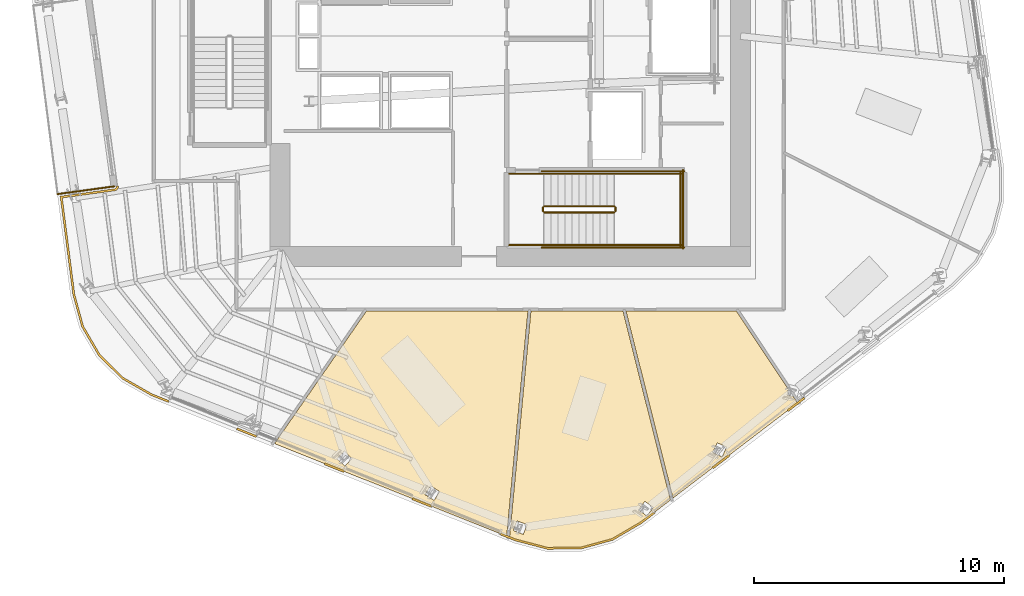
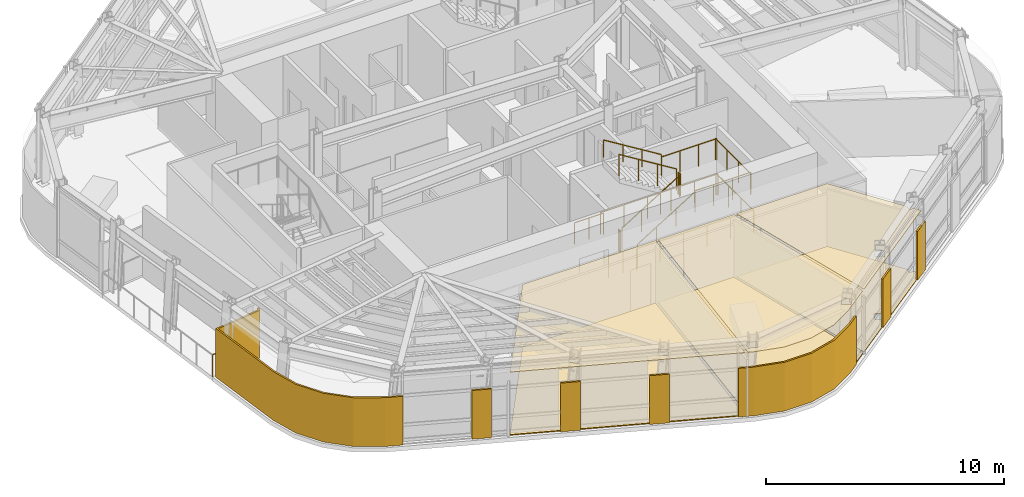
# One storey, part 11 of 15: 15 railings, 13 coverings.
"""IFC4 building model written with IfcOpenShell, lengths in metres."""

from ifc_helpers import new_model, si_unit, direction, frame, origin, origin_2d, place, context, subcontext, project, spatial, polyline, circle, outline, extrude, material, layer, layer_set, type_object, element, save


model = new_model("IFC4")

# Units and contexts
model_context = context("Model", 3, precision=1e-05, world=origin(), true_north=direction((0.0, 1.0)))
body_context = subcontext(model_context, "Body", "Model", "MODEL_VIEW")
ifc_project = project(units=[si_unit("LENGTHUNIT", "METRE"), si_unit("AREAUNIT", "SQUARE_METRE"), si_unit("VOLUMEUNIT", "CUBIC_METRE"), si_unit("PLANEANGLEUNIT", "RADIAN"), si_unit("MASSUNIT", "GRAM", prefix="KILO")], contexts=[model_context])

# Site, building, storey
site_placement = place(None, origin())
site = spatial("IfcSite", under=ifc_project, at=site_placement, CompositionType="ELEMENT")
building_placement = place(site_placement, origin())
building = spatial("IfcBuilding", under=site, at=building_placement, Name="Valkerne Bourse Tower", CompositionType="ELEMENT")
storey_placement = place(building_placement, frame((0.0, 0.0, 185.60009765625)))
storey = spatial("IfcBuildingStorey", under=building, at=storey_placement, Name="L47", CompositionType="ELEMENT", Elevation=185.60009765625)

# Coverings
ifc_material_1 = material(Name="Mineral Fiber Acoustic Ceiling Tile", Category="acoustic")
ifc_layer_1 = layer(ifc_material_1, 0.02490234375)
ifc_layer_set_1 = layer_set([ifc_layer_1], Name="Mineral Fiber Acoustic Ceiling Tile")
covering_type_1 = type_object("IfcCoveringType", Name="COV-CEIL-ACT", PredefinedType="CEILING", material=ifc_layer_set_1)
covering_1_placement = place(storey_placement, frame((0.0, 0.0, 3.22998046875)))
element("IfcCovering", 1, at=covering_1_placement, inside=storey, type_object=covering_type_1, Name="L47 Suspended Ceiling 04", PredefinedType="CEILING", context=body_context, shape_type="SweptSolid", body=[
    extrude(outline(polyline([(55.830078125, 16.010986328125), (57.91259765625, 12.876708984375), (57.85888671875, 12.658447265625), (58.09716796875, 12.598876953125), (58.274658203125, 12.331787109375), (53.29931640625, 8.53369140625), (51.421142578125, 16.010986328125), (55.830078125, 16.010986328125)]), holes=[polyline([(55.259033203125, 10.183349609375), (55.4423828125, 10.5654296875), (55.069580078125, 10.74560546875), (55.067138671875, 10.744384765625), (54.8837890625, 10.3623046875), (55.256591796875, 10.18212890625), (55.259033203125, 10.183349609375)])]), origin(), (0.0, 0.0, 1.0), 0.02490234375),
])
covering_2_placement = place(storey_placement, frame((0.0, 0.0, 3.22998046875)))
element("IfcCovering", 2, at=covering_2_placement, inside=storey, type_object=covering_type_1, Name="L47 Suspended Ceiling 07", PredefinedType="CEILING", context=body_context, shape_type="SweptSolid", body=[
    extrude(outline(polyline([(49.6025390625, 6.540771484375), (48.282958984375, 6.53369140625), (46.996826171875, 6.87109375), (46.765380859375, 6.963623046875), (47.62060546875, 16.010986328125), (51.29931640625, 16.010986328125), (53.197265625, 8.455810546875), (52.0234375, 7.559814453125), (50.875244140625, 6.888916015625), (49.6025390625, 6.540771484375)]), holes=[polyline([(47.314697265625, 7.085693359375), (47.465087890625, 7.471435546875), (47.071044921875, 7.626220703125), (47.068359375, 7.626220703125), (46.917724609375, 7.240234375), (47.31201171875, 7.08544921875), (47.314697265625, 7.085693359375)]), polyline([(52.508056640625, 8.16015625), (52.17578125, 8.406982421875), (52.173095703125, 8.40625), (51.92138671875, 8.0654296875), (52.253662109375, 7.818603515625), (52.256591796875, 7.8193359375), (52.508056640625, 8.16015625)])]), origin(), (0.0, 0.0, 1.0), 0.02490234375),
])
covering_3_placement = place(storey_placement, frame((0.0, 0.0, 3.22998046875)))
element("IfcCovering", 3, at=covering_3_placement, inside=storey, type_object=covering_type_1, Name="L47 Suspended Ceiling 09", PredefinedType="CEILING", context=body_context, shape_type="SweptSolid", body=[
    extrude(outline(polyline([(47.501953125, 16.010986328125), (46.651123046875, 7.00927734375), (37.373046875, 10.7119140625), (41.048828125, 16.010986328125), (47.501953125, 16.010986328125)]), holes=[polyline([(43.61376953125, 9.021728515625), (43.611083984375, 9.022216796875), (43.390625, 8.671630859375), (43.748779296875, 8.445556640625), (43.75146484375, 8.445068359375), (43.971923828125, 8.795654296875), (43.61376953125, 9.021728515625)]), polyline([(40.16357421875, 10.4072265625), (40.160888671875, 10.408203125), (39.873779296875, 10.10986328125), (40.178466796875, 9.8154296875), (40.180908203125, 9.814453125), (40.46826171875, 10.113037109375), (40.16357421875, 10.4072265625)])]), origin(), (0.0, 0.0, 1.0), 0.02490234375),
])
ifc_material_2 = material(Name="Bronze Anodised Aluminium AA 6063-T6", Category="aluminium")
ifc_layer_2 = layer(ifc_material_2, 0.06005859375)
ifc_layer_set_2 = layer_set([ifc_layer_2], Name="Bronze Anodised Aluminium AA 6063-T6")
covering_type_2 = type_object("IfcCoveringType", Name="COV-CRN-ALUM", PredefinedType="CLADDING", material=ifc_layer_set_2)
covering_4_placement = place(storey_placement, origin())
element("IfcCovering", 4, at=covering_4_placement, inside=storey, type_object=covering_type_2, Name="L47 Wind-Shaped Corner Aluminium Cladding 15", PredefinedType="CLADDING", context=body_context, shape_type="SweptSolid", body=[
    extrude(outline(polyline([(57.906982421875, 11.99560546875), (57.85791015625, 12.058837890625), (58.525634765625, 12.568603515625), (58.57470703125, 12.50537109375), (57.906982421875, 11.99560546875)])), origin(), (0.0, 0.0, 1.0), 2.5),
])
covering_5_placement = place(storey_placement, origin())
element("IfcCovering", 5, at=covering_5_placement, inside=storey, type_object=covering_type_2, Name="L47 Wind-Shaped Corner Aluminium Cladding 16", PredefinedType="CLADDING", context=body_context, shape_type="SweptSolid", body=[
    extrude(outline(polyline([(54.909423828125, 9.70751953125), (54.8603515625, 9.770751953125), (55.528076171875, 10.280517578125), (55.5771484375, 10.21728515625), (54.909423828125, 9.70751953125)])), origin(), (0.0, 0.0, 1.0), 2.5),
])
covering_6_placement = place(storey_placement, origin())
element("IfcCovering", 6, at=covering_6_placement, inside=storey, type_object=covering_type_2, Name="L47 Wind-Shaped Corner Aluminium Cladding 17", PredefinedType="CLADDING", context=body_context, shape_type="SweptSolid", body=[
    extrude(outline(polyline([(52.0478515625, 7.523193359375), (50.892578125, 6.847900390625), (49.608642578125, 6.49658203125), (48.27734375, 6.48974609375), (46.983154296875, 6.829345703125), (46.362060546875, 7.077392578125), (46.39208984375, 7.1513671875), (47.00830078125, 6.905517578125), (48.28759765625, 6.56982421875), (49.59765625, 6.57666015625), (50.861083984375, 6.92236328125), (52.00341796875, 7.589599609375), (52.530517578125, 7.9921875), (52.57958984375, 7.928955078125), (52.0478515625, 7.523193359375)])), origin(), (0.0, 0.0, 1.0), 2.5),
])
covering_7_placement = place(storey_placement, origin())
element("IfcCovering", 7, at=covering_7_placement, inside=storey, type_object=covering_type_2, Name="L47 Wind-Shaped Corner Aluminium Cladding 18", PredefinedType="CLADDING", context=body_context, shape_type="SweptSolid", body=[
    extrude(outline(polyline([(42.859375, 8.47509765625), (42.8896484375, 8.54931640625), (43.669921875, 8.23779296875), (43.6396484375, 8.163818359375), (42.859375, 8.47509765625)])), origin(), (0.0, 0.0, 1.0), 2.5),
])
covering_8_placement = place(storey_placement, origin())
element("IfcCovering", 8, at=covering_8_placement, inside=storey, type_object=covering_type_2, Name="L47 Wind-Shaped Corner Aluminium Cladding 19", PredefinedType="CLADDING", context=body_context, shape_type="SweptSolid", body=[
    extrude(outline(polyline([(39.35693359375, 9.872802734375), (39.38720703125, 9.947021484375), (40.167236328125, 9.635498046875), (40.13720703125, 9.5615234375), (39.35693359375, 9.872802734375)])), origin(), (0.0, 0.0, 1.0), 2.5),
])
covering_9_placement = place(storey_placement, origin())
element("IfcCovering", 9, at=covering_9_placement, inside=storey, type_object=covering_type_2, Name="L47 Wind-Shaped Corner Aluminium Cladding 20", PredefinedType="CLADDING", context=body_context, shape_type="SweptSolid", body=[
    extrude(outline(polyline([(35.8544921875, 11.270751953125), (35.884765625, 11.3447265625), (36.664794921875, 11.033447265625), (36.634521484375, 10.95947265625), (35.8544921875, 11.270751953125)])), origin(), (0.0, 0.0, 1.0), 2.5),
])
covering_10_placement = place(storey_placement, origin())
element("IfcCovering", 10, at=covering_10_placement, inside=storey, type_object=covering_type_2, Name="L47 Wind-Shaped Corner Aluminium Cladding 21", PredefinedType="CLADDING", context=body_context, shape_type="SweptSolid", body=[
    extrude(outline(polyline([(32.4453125, 12.63134765625), (31.28369140625, 13.2939453125), (30.33740234375, 14.230224609375), (29.665771484375, 15.379638671875), (29.31298828125, 16.66943359375), (28.8056640625, 20.5986328125), (30.975830078125, 20.89599609375), (30.985595703125, 20.897705078125), (30.994873046875, 20.900390625), (31.00390625, 20.904052734375), (31.0126953125, 20.90869140625), (31.02099609375, 20.9140625), (31.028564453125, 20.920166015625), (31.03564453125, 20.927001953125), (31.0419921875, 20.9345703125), (31.047607421875, 20.942626953125), (31.05224609375, 20.951171875), (31.05615234375, 20.960205078125), (31.05908203125, 20.969482421875), (31.06103515625, 20.979248046875), (31.06201171875, 20.989013671875), (31.062255859375, 20.998779296875), (31.061279296875, 21.008544921875), (31.140625, 21.019287109375), (31.14208984375, 21.001708984375), (31.14208984375, 20.984130859375), (31.139892578125, 20.966552734375), (31.136474609375, 20.94921875), (31.131103515625, 20.9326171875), (31.124267578125, 20.916259765625), (31.11572265625, 20.900634765625), (31.105712890625, 20.88623046875), (31.09423828125, 20.87255859375), (31.081787109375, 20.8603515625), (31.06787109375, 20.84912109375), (31.052978515625, 20.839599609375), (31.037353515625, 20.831298828125), (31.02099609375, 20.824951171875), (31.004150390625, 20.81982421875), (30.98681640625, 20.816650390625), (28.89501953125, 20.5302734375), (29.3916015625, 16.685302734375), (29.740234375, 15.410888671875), (30.401123046875, 14.27978515625), (31.33251953125, 13.358154296875), (32.47998046875, 12.70361328125), (33.162353515625, 12.43115234375), (33.132080078125, 12.357177734375), (32.4453125, 12.63134765625)])), origin(), (0.0, 0.0, 1.0), 2.5),
])
ifc_material_3 = material(Name="Galvanised Painted Steel", Category="steel")
ifc_layer_3 = layer(ifc_material_3, 0.044921875)
ifc_layer_set_3 = layer_set([ifc_layer_3], Name="Galvanised Painted Steel")
covering_type_3 = type_object("IfcCoveringType", Name="COV-FLR-RAF", PredefinedType="FLOORING", material=ifc_layer_set_3)
covering_11_placement = place(storey_placement, origin())
element("IfcCovering", 11, at=covering_11_placement, inside=storey, type_object=covering_type_3, Name="L47 Floor Finish 07", PredefinedType="FLOORING", context=body_context, shape_type="SweptSolid", body=[
    extrude(outline(polyline([(49.6025390625, 6.540771484375), (48.282958984375, 6.53369140625), (46.996826171875, 6.87109375), (46.765380859375, 6.963623046875), (47.62060546875, 16.010986328125), (51.29931640625, 16.010986328125), (53.197265625, 8.455810546875), (52.0234375, 7.559814453125), (50.875244140625, 6.888916015625), (49.6025390625, 6.540771484375)]), holes=[polyline([(47.314697265625, 7.085693359375), (47.465087890625, 7.471435546875), (47.071044921875, 7.626220703125), (47.068359375, 7.626220703125), (46.917724609375, 7.240234375), (47.31201171875, 7.08544921875), (47.314697265625, 7.085693359375)]), polyline([(52.508056640625, 8.16015625), (52.17578125, 8.406982421875), (52.173095703125, 8.40625), (51.92138671875, 8.0654296875), (52.253662109375, 7.818603515625), (52.256591796875, 7.8193359375), (52.508056640625, 8.16015625)])]), origin(), (0.0, 0.0, 1.0), 0.044921875),
])
covering_12_placement = place(storey_placement, origin())
element("IfcCovering", 12, at=covering_12_placement, inside=storey, type_object=covering_type_3, Name="L47 Floor Finish 09", PredefinedType="FLOORING", context=body_context, shape_type="SweptSolid", body=[
    extrude(outline(polyline([(47.501953125, 16.010986328125), (46.651123046875, 7.00927734375), (37.373046875, 10.7119140625), (41.048828125, 16.010986328125), (47.501953125, 16.010986328125)]), holes=[polyline([(43.61376953125, 9.021728515625), (43.611083984375, 9.022216796875), (43.390625, 8.671630859375), (43.748779296875, 8.445556640625), (43.75146484375, 8.445068359375), (43.971923828125, 8.795654296875), (43.61376953125, 9.021728515625)]), polyline([(40.16357421875, 10.4072265625), (40.160888671875, 10.408203125), (39.873779296875, 10.10986328125), (40.178466796875, 9.8154296875), (40.180908203125, 9.814453125), (40.46826171875, 10.113037109375), (40.16357421875, 10.4072265625)])]), origin(), (0.0, 0.0, 1.0), 0.044921875),
])
ifc_material_4 = material(Name="Polished Granite Stone", Category="masonry")
ifc_layer_4 = layer(ifc_material_4, 0.030029296875)
ifc_layer_set_4 = layer_set([ifc_layer_4], Name="Polished Granite Stone")
covering_type_4 = type_object("IfcCoveringType", Name="COV-FLR-TERRAZZO", PredefinedType="FLOORING", material=ifc_layer_set_4)
covering_13_placement = place(storey_placement, origin())
element("IfcCovering", 13, at=covering_13_placement, inside=storey, type_object=covering_type_4, Name="L47 Floor Finish 04", PredefinedType="FLOORING", context=body_context, shape_type="SweptSolid", body=[
    extrude(outline(polyline([(55.830078125, 16.010986328125), (57.91259765625, 12.876708984375), (57.85888671875, 12.658447265625), (58.09716796875, 12.598876953125), (58.274658203125, 12.331787109375), (53.29931640625, 8.53369140625), (51.421142578125, 16.010986328125), (55.830078125, 16.010986328125)]), holes=[polyline([(55.259033203125, 10.183349609375), (55.4423828125, 10.5654296875), (55.069580078125, 10.74560546875), (55.067138671875, 10.744384765625), (54.8837890625, 10.3623046875), (55.256591796875, 10.18212890625), (55.259033203125, 10.183349609375)])]), origin(), (0.0, 0.0, 1.0), 0.02978515625),
])

# Railings
ifc_material_5 = material(Name="Laminated Tempered Safety Glass", Category="glass")
railing_type_1 = type_object("IfcRailingType", Name="RLG-GUARD-1150", PredefinedType="BALUSTRADE", material=ifc_material_5)
railing_1_placement = place(storey_placement, frame((30.96240234375, 20.9951171875, 0.0)))
element("IfcRailing", 14, at=railing_1_placement, inside=storey, type_object=railing_type_1, Name="L47 V-Notch Terrace Glass Balustrade 2", PredefinedType="BALUSTRADE", context=body_context, shape_type="SweptSolid", body=[
    extrude(circle(Radius=0.02392578125, at=origin_2d()), frame((0.0, 0.0, 1.1259765625), z_axis=(-0.990747591802, -0.13571738775, 0.0), x_axis=(0.13571738775, -0.990747591802, 0.0)), (0.0, 0.0, 1.0), 2.2900390625),
    extrude(circle(Radius=0.02099609375, at=origin_2d()), origin(), (0.0, 0.0, 1.0), 1.101806640625),
    extrude(circle(Radius=0.02099609375, at=origin_2d()), frame((-1.13427734375, -0.1552734375, 0.0)), (0.0, 0.0, 1.0), 1.101806640625),
    extrude(circle(Radius=0.02099609375, at=origin_2d()), frame((-2.268798828125, -0.310791015625, 0.0)), (0.0, 0.0, 1.0), 1.101806640625),
])
railing_type_2 = type_object("IfcRailingType", Name="RLG-ST-GUARD-1120", PredefinedType="GUARDRAIL", material=ifc_material_3)
railing_2_placement = place(storey_placement, frame((48.14990234375, 19.949951171875, 0.172607421875)))
element("IfcRailing", 15, at=railing_2_placement, inside=storey, type_object=railing_type_2, Name="L47 ST-1 stair guard 1", PredefinedType="GUARDRAIL", context=body_context, shape_type="SweptSolid", body=[
    extrude(circle(Radius=0.02392578125, at=origin_2d()), frame((0.0, 0.0, 1.09619140625), z_axis=(0.851089632645, 0.0, 0.525020415988), x_axis=(0.0, 1.0, 0.0)), (0.0, 0.0, 1.0), 3.2900390625),
    extrude(circle(Radius=0.02099609375, at=origin_2d()), origin(), (0.0, 0.0, 1.0), 1.072021484375),
    extrude(circle(Radius=0.02099609375, at=origin_2d()), frame((0.933349609375, 0.0, 0.57568359375)), (0.0, 0.0, 1.0), 1.072021484375),
    extrude(circle(Radius=0.02099609375, at=origin_2d()), frame((1.86669921875, 0.0, 1.151611328125)), (0.0, 0.0, 1.0), 1.072021484375),
    extrude(circle(Radius=0.02099609375, at=origin_2d()), frame((2.800048828125, 0.0, 1.727294921875)), (0.0, 0.0, 1.0), 1.072021484375),
])
railing_3_placement = place(storey_placement, frame((51.0, 20.0, 1.89990234375)))
element("IfcRailing", 16, at=railing_3_placement, inside=storey, type_object=railing_type_2, Name="L47 ST-1 stair guard 2", PredefinedType="GUARDRAIL", context=body_context, shape_type="SweptSolid", body=[
    extrude(circle(Radius=0.02392578125, at=origin_2d()), frame((0.0, 0.0, 1.09619140625), z_axis=(0.0, 1.0, 0.0), x_axis=(-1.0, 0.0, 0.0)), (0.0, 0.0, 1.0), 0.14990234375),
    extrude(circle(Radius=0.02099609375, at=origin_2d()), origin(), (0.0, 0.0, 1.0), 1.072021484375),
    extrude(circle(Radius=0.02099609375, at=origin_2d()), frame((0.0, 0.14990234375, 0.0)), (0.0, 0.0, 1.0), 1.072021484375),
])
for number, where, name in (
    (17, (50.949951171875, 18.64990234375, 1.89990234375), "L47 ST-1 stair guard 3"),
    (18, (50.949951171875, 21.5, 1.89990234375), "L47 ST-1 stair guard 4"),
):
    element("IfcRailing", number, at=place(storey_placement, frame(where)), inside=storey, type_object=railing_type_2, Name=name, PredefinedType="GUARDRAIL", context=body_context, shape_type="SweptSolid", body=[
        extrude(circle(Radius=0.02392578125, at=origin_2d()), frame((0.0, 0.0, 1.09619140625), z_axis=(1.0, 0.0, 0.0), x_axis=(0.0, 1.0, 0.0)), (0.0, 0.0, 1.0), 2.699951171875),
        extrude(circle(Radius=0.02099609375, at=origin_2d()), origin(), (0.0, 0.0, 1.0), 1.072021484375),
        extrude(circle(Radius=0.02099609375, at=origin_2d()), frame((0.89990234375, 0.0, 0.0)), (0.0, 0.0, 1.0), 1.072021484375),
        extrude(circle(Radius=0.02099609375, at=origin_2d()), frame((1.800048828125, 0.0, 0.0)), (0.0, 0.0, 1.0), 1.072021484375),
        extrude(circle(Radius=0.02099609375, at=origin_2d()), frame((2.699951171875, 0.0, 0.0)), (0.0, 0.0, 1.0), 1.072021484375),
    ])
railing_4_placement = place(storey_placement, frame((53.60009765625, 18.60009765625, 1.89990234375)))
element("IfcRailing", 19, at=railing_4_placement, inside=storey, type_object=railing_type_2, Name="L47 ST-1 stair guard 5", PredefinedType="GUARDRAIL", context=body_context, shape_type="SweptSolid", body=[
    extrude(circle(Radius=0.02392578125, at=origin_2d()), frame((0.0, 0.0, 1.09619140625), z_axis=(0.0, 1.0, 0.0), x_axis=(-1.0, 0.0, 0.0)), (0.0, 0.0, 1.0), 2.949951171875),
    extrude(circle(Radius=0.02099609375, at=origin_2d()), origin(), (0.0, 0.0, 1.0), 1.072021484375),
    extrude(circle(Radius=0.02099609375, at=origin_2d()), frame((0.0, 0.9833984375, 0.0)), (0.0, 0.0, 1.0), 1.072021484375),
    extrude(circle(Radius=0.02099609375, at=origin_2d()), frame((0.0, 1.966552734375, 0.0)), (0.0, 0.0, 1.0), 1.072021484375),
    extrude(circle(Radius=0.02099609375, at=origin_2d()), frame((0.0, 2.949951171875, 0.0)), (0.0, 0.0, 1.0), 1.072021484375),
])
railing_5_placement = place(storey_placement, frame((50.949951171875, 20.199951171875, 2.072509765625)))
element("IfcRailing", 20, at=railing_5_placement, inside=storey, type_object=railing_type_2, Name="L47 ST-1 stair guard 6", PredefinedType="GUARDRAIL", context=body_context, shape_type="SweptSolid", body=[
    extrude(circle(Radius=0.02392578125, at=origin_2d()), frame((0.0, 0.0, 1.09619140625), z_axis=(-0.851089632645, 0.0, 0.525020415988), x_axis=(0.0, -1.0, 0.0)), (0.0, 0.0, 1.0), 3.2900390625),
    extrude(circle(Radius=0.02099609375, at=origin_2d()), origin(), (0.0, 0.0, 1.0), 1.072021484375),
    extrude(circle(Radius=0.02099609375, at=origin_2d()), frame((-0.933349609375, 0.0, 0.57568359375)), (0.0, 0.0, 1.0), 1.072021484375),
    extrude(circle(Radius=0.02099609375, at=origin_2d()), frame((-1.86669921875, 0.0, 1.151611328125)), (0.0, 0.0, 1.0), 1.072021484375),
    extrude(circle(Radius=0.02099609375, at=origin_2d()), frame((-2.800048828125, 0.0, 1.727294921875)), (0.0, 0.0, 1.0), 1.072021484375),
])
railing_6_placement = place(storey_placement, frame((48.10009765625, 20.0, 0.0)))
element("IfcRailing", 21, at=railing_6_placement, inside=storey, type_object=railing_type_2, Name="L47 ST-1 stair guard 7", PredefinedType="GUARDRAIL", context=body_context, shape_type="SweptSolid", body=[
    extrude(circle(Radius=0.02392578125, at=origin_2d()), frame((0.0, 0.0, 1.09619140625), z_axis=(0.0, 1.0, 0.0), x_axis=(-1.0, 0.0, 0.0)), (0.0, 0.0, 1.0), 0.14990234375),
    extrude(circle(Radius=0.02099609375, at=origin_2d()), origin(), (0.0, 0.0, 1.0), 1.072021484375),
    extrude(circle(Radius=0.02099609375, at=origin_2d()), frame((0.0, 0.14990234375, 0.0)), (0.0, 0.0, 1.0), 1.072021484375),
])
for number, where, name in (
    (22, (46.75, 18.64990234375, 0.0), "L47 ST-1 stair guard 8"),
    (23, (46.75, 21.5, 0.0), "L47 ST-1 stair guard 9"),
):
    element("IfcRailing", number, at=place(storey_placement, frame(where)), inside=storey, type_object=railing_type_2, Name=name, PredefinedType="GUARDRAIL", context=body_context, shape_type="SweptSolid", body=[
        extrude(circle(Radius=0.02392578125, at=origin_2d()), frame((0.0, 0.0, 1.09619140625), z_axis=(1.0, 0.0, 0.0), x_axis=(0.0, 1.0, 0.0)), (0.0, 0.0, 1.0), 1.39990234375),
        extrude(circle(Radius=0.02099609375, at=origin_2d()), origin(), (0.0, 0.0, 1.0), 1.072021484375),
        extrude(circle(Radius=0.02099609375, at=origin_2d()), frame((0.699951171875, 0.0, 0.0)), (0.0, 0.0, 1.0), 1.072021484375),
        extrude(circle(Radius=0.02099609375, at=origin_2d()), frame((1.39990234375, 0.0, 0.0)), (0.0, 0.0, 1.0), 1.072021484375),
    ])
for number, where, name in (
    (24, (48.050048828125, 18.550048828125, 0.0), "L47 ST-1 stair guard 10"),
    (25, (48.050048828125, 21.60009765625, 0.0), "L47 ST-1 stair guard 11"),
):
    element("IfcRailing", number, at=place(storey_placement, frame(where)), inside=storey, type_object=railing_type_2, Name=name, PredefinedType="GUARDRAIL", context=body_context, shape_type="SweptSolid", body=[
        extrude(circle(Radius=0.02392578125, at=origin_2d()), frame((0.0, 0.0, 1.09619140625), z_axis=(1.0, 0.0, 0.0), x_axis=(0.0, 1.0, 0.0)), (0.0, 0.0, 1.0), 5.699951171875),
        extrude(circle(Radius=0.02099609375, at=origin_2d()), origin(), (0.0, 0.0, 1.0), 1.072021484375),
        extrude(circle(Radius=0.02099609375, at=origin_2d()), frame((1.139892578125, 0.0, 0.0)), (0.0, 0.0, 1.0), 1.072021484375),
        extrude(circle(Radius=0.02099609375, at=origin_2d()), frame((2.280029296875, 0.0, 0.0)), (0.0, 0.0, 1.0), 1.072021484375),
        extrude(circle(Radius=0.02099609375, at=origin_2d()), frame((3.419921875, 0.0, 0.0)), (0.0, 0.0, 1.0), 1.072021484375),
        extrude(circle(Radius=0.02099609375, at=origin_2d()), frame((4.56005859375, 0.0, 0.0)), (0.0, 0.0, 1.0), 1.072021484375),
        extrude(circle(Radius=0.02099609375, at=origin_2d()), frame((5.699951171875, 0.0, 0.0)), (0.0, 0.0, 1.0), 1.072021484375),
    ])
railing_7_placement = place(storey_placement, frame((53.699951171875, 18.5, 0.0)))
element("IfcRailing", 26, at=railing_7_placement, inside=storey, type_object=railing_type_2, Name="L47 ST-1 stair guard 12", PredefinedType="GUARDRAIL", context=body_context, shape_type="SweptSolid", body=[
    extrude(circle(Radius=0.02392578125, at=origin_2d()), frame((0.0, 0.0, 1.09619140625), z_axis=(0.0, 1.0, 0.0), x_axis=(-1.0, 0.0, 0.0)), (0.0, 0.0, 1.0), 3.14990234375),
    extrude(circle(Radius=0.02099609375, at=origin_2d()), origin(), (0.0, 0.0, 1.0), 1.072021484375),
    extrude(circle(Radius=0.02099609375, at=origin_2d()), frame((0.0, 1.050048828125, 0.0)), (0.0, 0.0, 1.0), 1.072021484375),
    extrude(circle(Radius=0.02099609375, at=origin_2d()), frame((0.0, 2.099853515625, 0.0)), (0.0, 0.0, 1.0), 1.072021484375),
    extrude(circle(Radius=0.02099609375, at=origin_2d()), frame((0.0, 3.14990234375, 0.0)), (0.0, 0.0, 1.0), 1.072021484375),
])
ifc_material_6 = material(Name="Stainless Steel AISI 316", Category="steel")
railing_type_3 = type_object("IfcRailingType", Name="RLG-ST-HANDRAIL-900", PredefinedType="HANDRAIL", material=ifc_material_6)
railing_8_placement = place(storey_placement, frame((48.14990234375, 18.64990234375, 0.345458984375)))
element("IfcRailing", 27, at=railing_8_placement, inside=storey, type_object=railing_type_3, Name="L47 ST-1 stair handrail 1", PredefinedType="HANDRAIL", context=body_context, shape_type="SweptSolid", body=[
    extrude(circle(Radius=0.02392578125, at=origin_2d()), frame((0.0, 0.0, 0.8759765625), z_axis=(0.851122791225, 0.0, 0.524966660138), x_axis=(0.0, 1.0, 0.0)), (0.0, 0.0, 1.0), 3.289794921875),
    extrude(circle(Radius=0.02099609375, at=origin_2d()), origin(), (0.0, 0.0, 1.0), 0.851806640625),
    extrude(circle(Radius=0.02099609375, at=origin_2d()), frame((0.933349609375, 0.0, 0.57568359375)), (0.0, 0.0, 1.0), 0.851806640625),
    extrude(circle(Radius=0.02099609375, at=origin_2d()), frame((1.86669921875, 0.0, 1.1513671875)), (0.0, 0.0, 1.0), 0.851806640625),
    extrude(circle(Radius=0.02099609375, at=origin_2d()), frame((2.800048828125, 0.0, 1.72705078125)), (0.0, 0.0, 1.0), 0.851806640625),
])
railing_9_placement = place(storey_placement, frame((50.949951171875, 21.5, 2.245361328125)))
element("IfcRailing", 28, at=railing_9_placement, inside=storey, type_object=railing_type_3, Name="L47 ST-1 stair handrail 2", PredefinedType="HANDRAIL", context=body_context, shape_type="SweptSolid", body=[
    extrude(circle(Radius=0.02392578125, at=origin_2d()), frame((0.0, 0.0, 0.8759765625), z_axis=(-0.851089632645, 0.0, 0.525020415988), x_axis=(0.0, -1.0, 0.0)), (0.0, 0.0, 1.0), 3.2900390625),
    extrude(circle(Radius=0.02099609375, at=origin_2d()), origin(), (0.0, 0.0, 1.0), 0.851806640625),
    extrude(circle(Radius=0.02099609375, at=origin_2d()), frame((-0.933349609375, 0.0, 0.57568359375)), (0.0, 0.0, 1.0), 0.851806640625),
    extrude(circle(Radius=0.02099609375, at=origin_2d()), frame((-1.86669921875, 0.0, 1.151611328125)), (0.0, 0.0, 1.0), 0.851806640625),
    extrude(circle(Radius=0.02099609375, at=origin_2d()), frame((-2.800048828125, 0.0, 1.727294921875)), (0.0, 0.0, 1.0), 0.851806640625),
])

save(model, "model.ifc")
